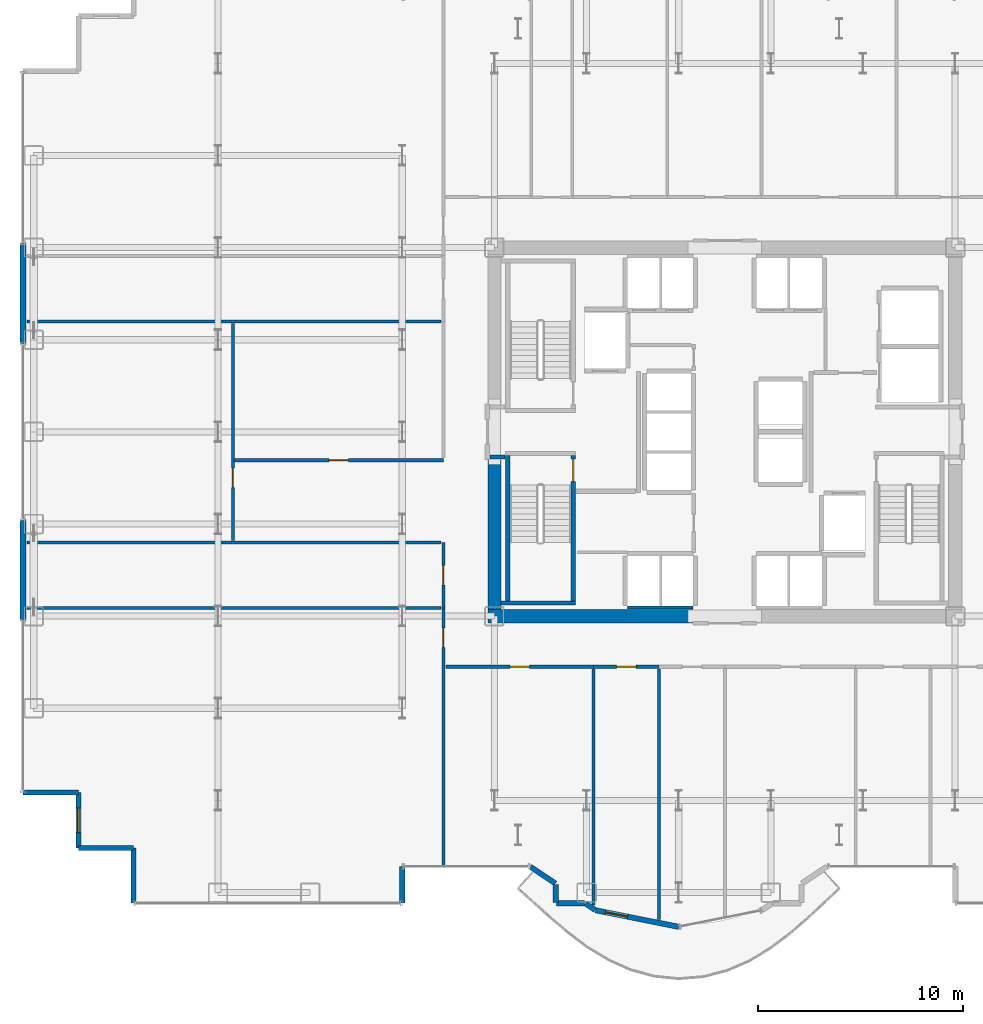
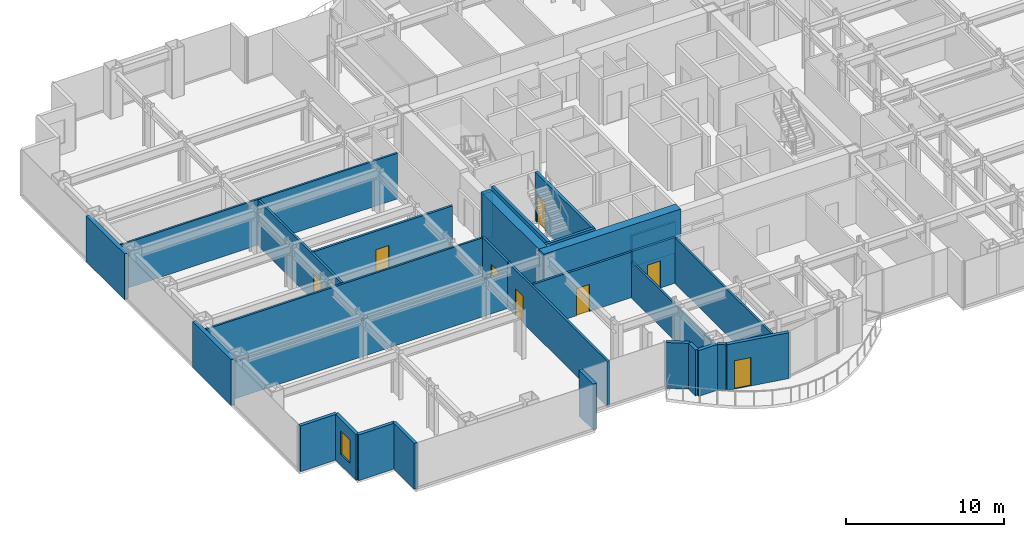
# One storey, part 22 of 29: 30 walls, 8 doors, 1 window, 9 openings.
"""IFC4 building model written with IfcOpenShell, lengths in metres."""

from ifc_helpers import new_model, si_unit, direction, frame, frame_2d, origin, place, context, subcontext, project, spatial, rectangle, extrude, source, transform, mapped, material, layer, layer_set, type_object, element, fill, save


model = new_model("IFC4")

# Units and contexts
model_context = context("Model", 3, precision=1e-05, world=origin(), true_north=direction((0.0, 1.0)))
body_context = subcontext(model_context, "Body", "Model", "MODEL_VIEW")
ifc_project = project(units=[si_unit("LENGTHUNIT", "METRE"), si_unit("AREAUNIT", "SQUARE_METRE"), si_unit("VOLUMEUNIT", "CUBIC_METRE"), si_unit("PLANEANGLEUNIT", "RADIAN"), si_unit("MASSUNIT", "GRAM", prefix="KILO")], contexts=[model_context])

# Site, building, storey
site_placement = place(None, origin())
site = spatial("IfcSite", under=ifc_project, at=site_placement, CompositionType="ELEMENT")
building_placement = place(site_placement, origin())
building = spatial("IfcBuilding", under=site, at=building_placement, Name="Nefas-Gora Pilgrimage Tower", CompositionType="ELEMENT")
storey_placement = place(building_placement, frame((0.0, 0.0, 67.199951171875)))
storey = spatial("IfcBuildingStorey", under=building, at=storey_placement, Name="L15", CompositionType="ELEMENT", Elevation=67.199951171875)

# Walls
ifc_material_1 = material(Name="Concrete C60/75", Category="concrete")
ifc_layer_1 = layer(ifc_material_1, 0.64990234375)
ifc_layer_set_1 = layer_set([ifc_layer_1], Name="Concrete C60/75")
wall_type_1 = type_object("IfcWallType", Name="SW-CORE-650", PredefinedType="SHEAR", material=ifc_layer_set_1)
shared_shape_1 = source(origin(), body_context, "Body", "SweptSolid", [
    extrude(rectangle(XDim=10.02490234375, YDim=0.64990234375, at=frame_2d((5.012451171875, 0.0))), origin(), (0.0, 0.0, 1.0), 3.800048828125),
])
wall_1_placement = place(storey_placement, frame((-11.574951171875, -9.0, 0.0), z_axis=(0.0, 0.0, 1.0), x_axis=(1.0, 0.0, 0.0)))
element("IfcWall", 1, at=wall_1_placement, inside=storey, type_object=wall_type_1, Name="L15 Core Shear Wall S-West", PredefinedType="SHEAR", context=body_context, shape_type="MappedRepresentation", body=[
    mapped(shared_shape_1, transform((0.0, 0.0, 0.0), x_axis=(1.0, 0.0, 0.0), y_axis=(0.0, 1.0, 0.0), z_axis=(0.0, 0.0, 1.0), scale=1.0)),
])
shared_shape_2 = source(origin(), body_context, "Body", "SweptSolid", [
    extrude(rectangle(XDim=7.324951171875, YDim=0.64990234375, at=frame_2d((3.66259765625, 0.0))), origin(), (0.0, 0.0, 1.0), 3.800048828125),
])
wall_2_placement = place(storey_placement, frame((-11.25, -8.675048828125, 0.0), z_axis=(0.0, 0.0, 1.0), x_axis=(0.0, 1.0, 0.0)))
element("IfcWall", 2, at=wall_2_placement, inside=storey, type_object=wall_type_1, Name="L15 Core Shear Wall W-South", PredefinedType="SHEAR", context=body_context, shape_type="MappedRepresentation", body=[
    mapped(shared_shape_2, transform((0.0, 0.0, 0.0), x_axis=(1.0, 0.0, 0.0), y_axis=(0.0, 1.0, 0.0), z_axis=(0.0, 0.0, 1.0), scale=1.0)),
])
ifc_material_2 = material(Name="Precast concrete C45/55", Category="concrete")
ifc_layer_2 = layer(ifc_material_2, 0.239990234375)
ifc_layer_set_2 = layer_set([ifc_layer_2], Name="Precast concrete C45/55")
wall_type_2 = type_object("IfcWallType", Name="EW-SERR-240", PredefinedType="SHEAR", material=ifc_layer_set_2)
shared_shape_3 = source(origin(), body_context, "Body", "SweptSolid", [
    extrude(rectangle(XDim=4.8798828125, YDim=0.300048828125, at=frame_2d((2.43994140625, 0.0))), origin(), (0.0, 0.0, 1.0), 3.550048828125),
])
for number, where, z_axis, x_axis, name in (
    (3, (-34.27001953125, -9.18994140625, 0.0), (0.0, 0.0, 1.0), (0.0, 1.0, 0.0), "L15 Braced-Tube Precast Shear Cladding 1"),
    (4, (-34.27001953125, 4.31005859375, 0.0), (0.0, 0.0, 1.0), (0.0, 1.0, 0.0), "L15 Braced-Tube Precast Shear Cladding 2"),
):
    element("IfcWall", number, at=place(storey_placement, frame(where, z_axis=z_axis, x_axis=x_axis)), inside=storey, type_object=wall_type_2, Name=name, PredefinedType="SHEAR", context=body_context, shape_type="MappedRepresentation", body=[
        mapped(shared_shape_3, transform((0.0, 0.0, 0.0), x_axis=(1.0, 0.0, 0.0), y_axis=(0.0, 1.0, 0.0), z_axis=(0.0, 0.0, 1.0), scale=1.0)),
    ])
ifc_material_3 = material(Name="Precast concrete C40/50", Category="concrete")
ifc_layer_3 = layer(ifc_material_3, 0.260009765625)
ifc_layer_set_3 = layer_set([ifc_layer_3], Name="Precast concrete C40/50")
wall_type_3 = type_object("IfcWallType", Name="EW-PORTAL-260", PredefinedType="SOLIDWALL", material=ifc_layer_set_3)
shared_shape_4 = source(origin(), body_context, "Body", "SweptSolid", [
    extrude(rectangle(XDim=1.800048828125, YDim=0.260009765625, at=frame_2d((0.89990234375, 0.0))), origin(), (0.0, 0.0, 1.0), 3.550048828125),
])
wall_3_placement = place(storey_placement, frame((-15.75, -23.02001953125, 0.0), z_axis=(0.0, 0.0, 1.0), x_axis=(0.0, 1.0, 0.0)))
element("IfcWall", 5, at=wall_3_placement, inside=storey, type_object=wall_type_3, Name="L15 Lobe Shoulder Precast Spandrel Pier 32", PredefinedType="SOLIDWALL", context=body_context, shape_type="MappedRepresentation", body=[
    mapped(shared_shape_4, transform((0.0, 0.0, 0.0), x_axis=(1.0, 0.0, 0.0), y_axis=(0.0, 1.0, 0.0), z_axis=(0.0, 0.0, 1.0), scale=1.0)),
])
shared_shape_5 = source(origin(), body_context, "Body", "SweptSolid", [
    extrude(rectangle(XDim=2.699951171875, YDim=0.239990234375, at=frame_2d((1.35009765625, 0.0))), origin(), (0.0, 0.0, 1.0), 3.550048828125),
])
wall_4_placement = place(storey_placement, frame((-34.27001953125, -17.6201171875, 0.0), z_axis=(0.0, 0.0, 1.0), x_axis=(1.0, 0.0, 0.0)))
element("IfcWall", 6, at=wall_4_placement, inside=storey, type_object=wall_type_2, Name="L15 Serrated Corner Shear Pier Wall 28", PredefinedType="SHEAR", context=body_context, shape_type="MappedRepresentation", body=[
    mapped(shared_shape_5, transform((0.0, 0.0, 0.0), x_axis=(1.0, 0.0, 0.0), y_axis=(0.0, 1.0, 0.0), z_axis=(0.0, 0.0, 1.0), scale=1.0)),
])

# Wall, opening, window
wall_5_placement = place(storey_placement, frame((-31.570068359375, -17.6201171875, 0.0), z_axis=(0.0, 0.0, 1.0), x_axis=(0.0, -1.0, 0.0)))
wall_5 = element("IfcWall", 7, at=wall_5_placement, inside=storey, type_object=wall_type_2, Name="L15 Serrated Corner Shear Pier Wall 29", PredefinedType="SHEAR", context=body_context, shape_type="MappedRepresentation", body=[
    mapped(shared_shape_5, transform((0.0, 0.0, 0.0), x_axis=(1.0, 0.0, 0.0), y_axis=(0.0, 1.0, 0.0), z_axis=(0.0, 0.0, 1.0), scale=1.0)),
])
opening_1_placement = place(wall_5_placement, frame((0.75, 0.0, 0.85009765625)))
opening_1 = element("IfcOpeningElement", 8, at=opening_1_placement, cuts=wall_5, Name="Opening W-V1", PredefinedType="OPENING", context=body_context, shape_type="SweptSolid", body=[
    extrude(rectangle(XDim=1.199951171875, YDim=1.800048828125, at=frame_2d((0.60009765625, 0.89990234375))), frame((0.0, 0.1298828125, 0.0), z_axis=(0.0, -1.0, 0.0), x_axis=(1.0, 0.0, 0.0)), (0.0, 0.0, 1.0), 0.260009765625),
])
ifc_material_4 = material(Name="Dark ceramic-fritted operable aluminium-glass window", Category="aluminium")
window_type = type_object("IfcWindowType", Name="WIN-VENT-1200x1800", PartitioningType="SINGLE_PANEL", PredefinedType="WINDOW", material=ifc_material_4)
shared_shape_6 = source(origin(), body_context, "Body", "SweptSolid", [
    extrude(rectangle(XDim=1.199951171875, YDim=1.800048828125, at=frame_2d((0.60009765625, 0.89990234375))), frame((0.0, 0.030029296875, 0.0), z_axis=(0.0, -1.0, 0.0), x_axis=(1.0, 0.0, 0.0)), (0.0, 0.0, 1.0), 0.06005859375),
])
window_placement = place(opening_1_placement, origin())
window = element("IfcWindow", 9, at=window_placement, inside=storey, type_object=window_type, Name="L15 Operable Parallel-Outswing Window 29", OverallHeight=1.800048828125, OverallWidth=1.199951171875, PartitioningType="SINGLE_PANEL", PredefinedType="WINDOW", context=body_context, shape_type="MappedRepresentation", body=[
    mapped(shared_shape_6, transform((0.0, 0.0, 0.0), x_axis=(1.0, 0.0, 0.0), y_axis=(0.0, 1.0, 0.0), z_axis=(0.0, 0.0, 1.0), scale=1.0)),
])
fill(opening_1, window)

# Walls
for number, where, z_axis, x_axis, name in (
    (10, (-31.570068359375, -20.320068359375, 0.0), (0.0, 0.0, 1.0), (1.0, 0.0, 0.0), "L15 Serrated Corner Shear Pier Wall 30"),
    (11, (-28.8701171875, -20.320068359375, 0.0), (0.0, 0.0, 1.0), (0.0, -1.0, 0.0), "L15 Serrated Corner Shear Pier Wall 31"),
):
    element("IfcWall", number, at=place(storey_placement, frame(where, z_axis=z_axis, x_axis=x_axis)), inside=storey, type_object=wall_type_2, Name=name, PredefinedType="SHEAR", context=body_context, shape_type="MappedRepresentation", body=[
        mapped(shared_shape_5, transform((0.0, 0.0, 0.0), x_axis=(1.0, 0.0, 0.0), y_axis=(0.0, 1.0, 0.0), z_axis=(0.0, 0.0, 1.0), scale=1.0)),
    ])
shared_shape_7 = source(origin(), body_context, "Body", "SweptSolid", [
    extrude(rectangle(XDim=1.468994140625, YDim=0.260009765625, at=frame_2d((0.734375, 0.0))), origin(), (0.0, 0.0, 1.0), 3.550048828125),
])
wall_6_placement = place(storey_placement, frame((-9.49462890625, -21.235595703125, 0.0), z_axis=(0.0, 0.0, 1.0), x_axis=(0.831461760506, -0.555581983884, 0.0)))
element("IfcWall", 12, at=wall_6_placement, inside=storey, type_object=wall_type_3, Name="L15 Lobe Shoulder Precast Spandrel Pier 33", PredefinedType="SOLIDWALL", context=body_context, shape_type="MappedRepresentation", body=[
    mapped(shared_shape_7, transform((0.0, 0.0, 0.0), x_axis=(1.0, 0.0, 0.0), y_axis=(0.0, 1.0, 0.0), z_axis=(0.0, 0.0, 1.0), scale=1.0)),
])
shared_shape_8 = source(origin(), body_context, "Body", "SweptSolid", [
    extrude(rectangle(XDim=0.896728515625, YDim=0.260009765625, at=frame_2d((0.4482421875, 0.0))), origin(), (0.0, 0.0, 1.0), 3.550048828125),
])
wall_7_placement = place(storey_placement, frame((-8.25, -22.09521484375, 0.0), z_axis=(0.0, 0.0, 1.0), x_axis=(0.0, -1.0, 0.0)))
element("IfcWall", 13, at=wall_7_placement, inside=storey, type_object=wall_type_3, Name="L15 Lobe Shoulder Precast Spandrel Pier 34", PredefinedType="SOLIDWALL", context=body_context, shape_type="MappedRepresentation", body=[
    mapped(shared_shape_8, transform((0.0, 0.0, 0.0), x_axis=(1.0, 0.0, 0.0), y_axis=(0.0, 1.0, 0.0), z_axis=(0.0, 0.0, 1.0), scale=1.0)),
])
shared_shape_9 = source(origin(), body_context, "Body", "SweptSolid", [
    extrude(rectangle(XDim=1.369873046875, YDim=0.260009765625, at=frame_2d((0.68505859375, 0.0))), origin(), (0.0, 0.0, 1.0), 3.550048828125),
])
wall_8_placement = place(storey_placement, frame((-8.221923828125, -23.02001953125, 0.0), z_axis=(0.0, 0.0, 1.0), x_axis=(1.0, 0.0, 0.0)))
element("IfcWall", 14, at=wall_8_placement, inside=storey, type_object=wall_type_3, Name="L15 Lobe Shoulder Precast Spandrel Pier 35", PredefinedType="SOLIDWALL", context=body_context, shape_type="MappedRepresentation", body=[
    mapped(shared_shape_9, transform((0.0, 0.0, 0.0), x_axis=(1.0, 0.0, 0.0), y_axis=(0.0, 1.0, 0.0), z_axis=(0.0, 0.0, 1.0), scale=1.0)),
])
shared_shape_10 = source(origin(), body_context, "Body", "SweptSolid", [
    extrude(rectangle(XDim=0.5654296875, YDim=0.260009765625, at=frame_2d((0.28271484375, 0.0))), origin(), (0.0, 0.0, 1.0), 3.550048828125),
])
wall_9_placement = place(storey_placement, frame((-6.80078125, -23.03564453125, 0.0), z_axis=(0.0, 0.0, 1.0), x_axis=(0.831651492666, -0.555297933317, 0.0)))
element("IfcWall", 15, at=wall_9_placement, inside=storey, type_object=wall_type_3, Name="L15 Lobe Shoulder Precast Spandrel Pier 36", PredefinedType="SOLIDWALL", context=body_context, shape_type="MappedRepresentation", body=[
    mapped(shared_shape_10, transform((0.0, 0.0, 0.0), x_axis=(1.0, 0.0, 0.0), y_axis=(0.0, 1.0, 0.0), z_axis=(0.0, 0.0, 1.0), scale=1.0)),
])

# Wall, opening, door
shared_shape_11 = source(origin(), body_context, "Body", "SweptSolid", [
    extrude(rectangle(XDim=4.136962890625, YDim=0.260009765625, at=frame_2d((2.068359375, 0.0))), origin(), (0.0, 0.0, 1.0), 3.550048828125),
])
wall_10_placement = place(storey_placement, frame((-6.307373046875, -23.365234375, 0.0), z_axis=(0.0, 0.0, 1.0), x_axis=(0.980782170794, -0.195105954428, 0.0)))
wall_10 = element("IfcWall", 16, at=wall_10_placement, inside=storey, type_object=wall_type_3, Name="L15 Insulated Terrace Portal Wall 37", PredefinedType="SOLIDWALL", context=body_context, shape_type="MappedRepresentation", body=[
    mapped(shared_shape_11, transform((0.0, 0.0, 0.0), x_axis=(1.0, 0.0, 0.0), y_axis=(0.0, 1.0, 0.0), z_axis=(0.0, 0.0, 1.0), scale=1.0)),
])
opening_2_placement = place(wall_10_placement, frame((0.48779296875, 0.0, 0.0)))
opening_2 = element("IfcOpeningElement", 17, at=opening_2_placement, cuts=wall_10, Name="Opening ED-B1", PredefinedType="OPENING", context=body_context, shape_type="SweptSolid", body=[
    extrude(rectangle(XDim=1.10009765625, YDim=2.199951171875, at=frame_2d((0.550048828125, 1.10009765625))), frame((0.0, 0.139892578125, 0.0), z_axis=(0.0, -1.0, 0.0), x_axis=(1.0, 0.0, 0.0)), (0.0, 0.0, 1.0), 0.280029296875),
])
ifc_material_5 = material(Name="Thermally broken glazed aluminium balcony door", Category="aluminium")
door_type_1 = type_object("IfcDoorType", Name="DR-EXT-BAL-1100", OperationType="NOTDEFINED", PredefinedType="DOOR", material=ifc_material_5)
shared_shape_12 = source(origin(), body_context, "Body", "SweptSolid", [
    extrude(rectangle(XDim=1.10009765625, YDim=2.199951171875, at=frame_2d((0.550048828125, 1.10009765625))), frame((0.0, 0.02490234375, 0.0), z_axis=(0.0, -1.0, 0.0), x_axis=(1.0, 0.0, 0.0)), (0.0, 0.0, 1.0), 0.050048828125),
])
door_1_placement = place(opening_2_placement, origin())
door_1 = element("IfcDoor", 18, at=door_1_placement, inside=storey, type_object=door_type_1, Name="L15 Exterior Door (L15 S Lobe Wave Balcony)", OperationType="SINGLE_SWING_RIGHT", OverallHeight=2.199951171875, OverallWidth=1.10009765625, PredefinedType="DOOR", context=body_context, shape_type="MappedRepresentation", body=[
    mapped(shared_shape_12, transform((0.0, 0.0, 0.0), x_axis=(1.0, 0.0, 0.0), y_axis=(0.0, 1.0, 0.0), z_axis=(0.0, 0.0, 1.0), scale=1.0)),
])
fill(opening_2, door_1)

# Walls
ifc_material_6 = material(Name="Concrete C45/55", Category="concrete")
ifc_layer_4 = layer(ifc_material_6, 0.199951171875)
ifc_layer_set_4 = layer_set([ifc_layer_4], Name="Concrete C45/55")
wall_type_4 = type_object("IfcWallType", Name="IW-STAIR-200", PredefinedType="SOLIDWALL", material=ifc_layer_set_4)
shared_shape_13 = source(origin(), body_context, "Body", "SweptSolid", [
    extrude(rectangle(XDim=3.6298828125, YDim=0.199951171875, at=frame_2d((1.81494140625, 0.0))), origin(), (0.0, 0.0, 1.0), 3.800048828125),
])
wall_11_placement = place(storey_placement, frame((-10.929931640625, -8.35009765625, 0.0), z_axis=(0.0, 0.0, 1.0), x_axis=(1.0, 0.0, 0.0)))
element("IfcWall", 19, at=wall_11_placement, inside=storey, type_object=wall_type_4, Name="L15 Stairwell Shear Wall ST-03-far", PredefinedType="SOLIDWALL", context=body_context, shape_type="MappedRepresentation", body=[
    mapped(shared_shape_13, transform((0.0, 0.0, 0.0), x_axis=(1.0, 0.0, 0.0), y_axis=(0.0, 1.0, 0.0), z_axis=(0.0, 0.0, 1.0), scale=1.0)),
])
shared_shape_14 = source(origin(), body_context, "Body", "SweptSolid", [
    extrude(rectangle(XDim=7.10009765625, YDim=0.199951171875, at=frame_2d((3.550048828125, 0.0))), origin(), (0.0, 0.0, 1.0), 3.800048828125),
])
wall_12_placement = place(storey_placement, frame((-10.60009765625, -1.14990234375, 0.0), z_axis=(0.0, 0.0, 1.0), x_axis=(0.0, -1.0, 0.0)))
element("IfcWall", 20, at=wall_12_placement, inside=storey, type_object=wall_type_4, Name="L15 Stairwell Shear Wall ST-03-left", PredefinedType="SOLIDWALL", context=body_context, shape_type="MappedRepresentation", body=[
    mapped(shared_shape_14, transform((0.0, 0.0, 0.0), x_axis=(1.0, 0.0, 0.0), y_axis=(0.0, 1.0, 0.0), z_axis=(0.0, 0.0, 1.0), scale=1.0)),
])

# Wall, opening, door
wall_13_placement = place(storey_placement, frame((-7.39990234375, -1.14990234375, 0.0), z_axis=(0.0, 0.0, 1.0), x_axis=(0.0, -1.0, 0.0)))
wall_13 = element("IfcWall", 21, at=wall_13_placement, inside=storey, type_object=wall_type_4, Name="L15 Stairwell Shear Wall ST-03-right", PredefinedType="SOLIDWALL", context=body_context, shape_type="MappedRepresentation", body=[
    mapped(shared_shape_14, transform((0.0, 0.0, 0.0), x_axis=(1.0, 0.0, 0.0), y_axis=(0.0, 1.0, 0.0), z_axis=(0.0, 0.0, 1.0), scale=1.0)),
])
opening_3_placement = place(wall_13_placement, frame((0.179931640625, 0.0, 0.0)))
opening_3 = element("IfcOpeningElement", 22, at=opening_3_placement, cuts=wall_13, Name="Opening ID-ST1", PredefinedType="OPENING", context=body_context, shape_type="SweptSolid", body=[
    extrude(rectangle(XDim=1.10009765625, YDim=2.14990234375, at=frame_2d((0.550048828125, 1.074951171875))), frame((0.0, 0.10986328125, 0.0), z_axis=(0.0, -1.0, 0.0), x_axis=(1.0, 0.0, 0.0)), (0.0, 0.0, 1.0), 0.219970703125),
])
ifc_material_7 = material(Name="Painted galvanised steel fire stair door", Category="steel")
door_type_2 = type_object("IfcDoorType", Name="DR-INT-STAIR-1100", OperationType="NOTDEFINED", PredefinedType="DOOR", material=ifc_material_7)
shared_shape_15 = source(origin(), body_context, "Body", "SweptSolid", [
    extrude(rectangle(XDim=1.10009765625, YDim=2.14990234375, at=frame_2d((0.550048828125, 1.074951171875))), frame((0.0, 0.02490234375, 0.0), z_axis=(0.0, -1.0, 0.0), x_axis=(1.0, 0.0, 0.0)), (0.0, 0.0, 1.0), 0.050048828125),
])
door_2_placement = place(opening_3_placement, origin())
door_2 = element("IfcDoor", 23, at=door_2_placement, inside=storey, type_object=door_type_2, Name="L15 Protected Exit Stair Door ST-03", OperationType="SINGLE_SWING_LEFT", OverallHeight=2.14990234375, OverallWidth=1.10009765625, PredefinedType="DOOR", context=body_context, shape_type="MappedRepresentation", body=[
    mapped(shared_shape_15, transform((0.0, 0.0, 0.0), x_axis=(1.0, 0.0, 0.0), y_axis=(0.0, 1.0, 0.0), z_axis=(0.0, 0.0, 1.0), scale=1.0)),
])
fill(opening_3, door_2)

# Walls
ifc_material_8 = material(Name="Gypsum acoustic stud partition")
ifc_layer_5 = layer(ifc_material_8, 0.159912109375)
ifc_layer_set_5 = layer_set([ifc_layer_5], Name="Gypsum acoustic stud partition")
wall_type_5 = type_object("IfcWallType", Name="IW-CORR-160", PredefinedType="PARTITIONING", material=ifc_layer_set_5)
shared_shape_16 = source(origin(), body_context, "Body", "SweptSolid", [
    extrude(rectangle(XDim=3.199951171875, YDim=0.159912109375, at=frame_2d((1.60009765625, 0.0))), origin(), (0.0, 0.0, 1.0), 2.425048828125),
])
wall_14_placement = place(storey_placement, frame((-4.75, -8.580078125, 0.0), z_axis=(0.0, 0.0, 1.0), x_axis=(1.0, 0.0, 0.0)))
element("IfcWall", 24, at=wall_14_placement, inside=storey, type_object=wall_type_5, Name="L15 Hoistway Wall PL2-W-S", PredefinedType="PARTITIONING", context=body_context, shape_type="MappedRepresentation", body=[
    mapped(shared_shape_16, transform((0.0, 0.0, 0.0), x_axis=(1.0, 0.0, 0.0), y_axis=(0.0, 1.0, 0.0), z_axis=(0.0, 0.0, 1.0), scale=1.0)),
])
ifc_material_9 = material(Name="Gypsum twin-stud partition")
ifc_layer_6 = layer(ifc_material_9, 0.139892578125)
ifc_layer_set_6 = layer_set([ifc_layer_6], Name="Gypsum twin-stud partition")
wall_type_6 = type_object("IfcWallType", Name="IW-UNIT-140", PredefinedType="PARTITIONING", material=ifc_layer_set_6)
shared_shape_17 = source(origin(), body_context, "Body", "SweptSolid", [
    extrude(rectangle(XDim=20.219970703125, YDim=0.139892578125, at=frame_2d((10.10986328125, 0.0))), origin(), (0.0, 0.0, 1.0), 2.824951171875),
])
wall_15_placement = place(storey_placement, frame((-34.080078125, -8.60498046875, 0.0), z_axis=(0.0, 0.0, 1.0), x_axis=(1.0, 0.0, 0.0)))
element("IfcWall", 25, at=wall_15_placement, inside=storey, type_object=wall_type_6, Name="L15 Pilgrim Floor Concierge Foyer Partition Wall 24", PredefinedType="PARTITIONING", context=body_context, shape_type="MappedRepresentation", body=[
    mapped(shared_shape_17, transform((0.0, 0.0, 0.0), x_axis=(1.0, 0.0, 0.0), y_axis=(0.0, 1.0, 0.0), z_axis=(0.0, 0.0, 1.0), scale=1.0)),
])
ifc_material_10 = material(Name="Gypsum fire-rated shaftwall")
ifc_layer_7 = layer(ifc_material_10, 0.199951171875)
ifc_layer_set_7 = layer_set([ifc_layer_7], Name="Gypsum fire-rated shaftwall")
wall_type_7 = type_object("IfcWallType", Name="IW-FFLOB-200", PredefinedType="PARTITIONING", material=ifc_layer_set_7)
shared_shape_18 = source(origin(), body_context, "Body", "SweptSolid", [
    extrude(rectangle(XDim=0.719970703125, YDim=0.199951171875, at=frame_2d((0.35986328125, 0.0))), origin(), (0.0, 0.0, 1.0), 3.53515625),
])
wall_16_placement = place(storey_placement, frame((-11.4599609375, -1.219970703125, 0.0), z_axis=(0.0, 0.0, 1.0), x_axis=(1.0, 0.0, 0.0)))
element("IfcWall", 26, at=wall_16_placement, inside=storey, type_object=wall_type_7, Name="L15 FF Lobby West Throat S Wall 7", PredefinedType="PARTITIONING", context=body_context, shape_type="MappedRepresentation", body=[
    mapped(shared_shape_18, transform((0.0, 0.0, 0.0), x_axis=(1.0, 0.0, 0.0), y_axis=(0.0, 1.0, 0.0), z_axis=(0.0, 0.0, 1.0), scale=1.0)),
])
shared_shape_19 = source(origin(), body_context, "Body", "SweptSolid", [
    extrude(rectangle(XDim=20.219970703125, YDim=0.139892578125, at=frame_2d((10.10986328125, 0.0))), origin(), (0.0, 0.0, 1.0), 3.53515625),
])
wall_17_placement = place(storey_placement, frame((-34.080078125, -5.405029296875, 0.0), z_axis=(0.0, 0.0, 1.0), x_axis=(1.0, 0.0, 0.0)))
element("IfcWall", 27, at=wall_17_placement, inside=storey, type_object=wall_type_6, Name="L15 Pilgrim Floor Concierge Foyer Partition Wall 26", PredefinedType="PARTITIONING", context=body_context, shape_type="MappedRepresentation", body=[
    mapped(shared_shape_19, transform((0.0, 0.0, 0.0), x_axis=(1.0, 0.0, 0.0), y_axis=(0.0, 1.0, 0.0), z_axis=(0.0, 0.0, 1.0), scale=1.0)),
])

# Wall, opening, door
shared_shape_20 = source(origin(), body_context, "Body", "SweptSolid", [
    extrude(rectangle(XDim=10.25, YDim=0.159912109375, at=frame_2d((5.125, 0.0))), origin(), (0.0, 0.0, 1.0), 3.53515625),
])
wall_18_placement = place(storey_placement, frame((-23.97998046875, -1.3798828125, 0.0), z_axis=(0.0, 0.0, 1.0), x_axis=(1.0, 0.0, 0.0)))
wall_18 = element("IfcWall", 28, at=wall_18_placement, inside=storey, type_object=wall_type_5, Name="L15 Pilgrim Floor Concierge Foyer Partition Wall 27", PredefinedType="PARTITIONING", context=body_context, shape_type="MappedRepresentation", body=[
    mapped(shared_shape_20, transform((0.0, 0.0, 0.0), x_axis=(1.0, 0.0, 0.0), y_axis=(0.0, 1.0, 0.0), z_axis=(0.0, 0.0, 1.0), scale=1.0)),
])
opening_4_placement = place(wall_18_placement, frame((4.64990234375, 0.0, 0.0)))
opening_4 = element("IfcOpeningElement", 29, at=opening_4_placement, cuts=wall_18, Name="Opening ID-GR1", PredefinedType="OPENING", context=body_context, shape_type="SweptSolid", body=[
    extrude(rectangle(XDim=0.949951171875, YDim=2.10009765625, at=frame_2d((0.47509765625, 1.050048828125))), frame((0.0, 0.08984375, 0.0), z_axis=(0.0, -1.0, 0.0), x_axis=(1.0, 0.0, 0.0)), (0.0, 0.0, 1.0), 0.179931640625),
])
ifc_material_11 = material(Name="Solid core oak fire-rated guest entrance door")
door_type_3 = type_object("IfcDoorType", Name="DR-INT-GUEST-950", OperationType="NOTDEFINED", PredefinedType="DOOR", material=ifc_material_11)
shared_shape_21 = source(origin(), body_context, "Body", "SweptSolid", [
    extrude(rectangle(XDim=0.949951171875, YDim=2.10009765625, at=frame_2d((0.47509765625, 1.050048828125))), frame((0.0, 0.02490234375, 0.0), z_axis=(0.0, -1.0, 0.0), x_axis=(1.0, 0.0, 0.0)), (0.0, 0.0, 1.0), 0.050048828125),
])
door_3_placement = place(opening_4_placement, origin())
door_3 = element("IfcDoor", 30, at=door_3_placement, inside=storey, type_object=door_type_3, Name="L15 Pilgrim Floor Concierge Foyer Door 11", OperationType="SINGLE_SWING_LEFT", OverallHeight=2.10009765625, OverallWidth=0.949951171875, PredefinedType="DOOR", context=body_context, shape_type="MappedRepresentation", body=[
    mapped(shared_shape_21, transform((0.0, 0.0, 0.0), x_axis=(1.0, 0.0, 0.0), y_axis=(0.0, 1.0, 0.0), z_axis=(0.0, 0.0, 1.0), scale=1.0)),
])
fill(opening_4, door_3)

shared_shape_22 = source(origin(), body_context, "Body", "SweptSolid", [
    extrude(rectangle(XDim=12.64501953125, YDim=0.159912109375, at=frame_2d((6.322509765625, 0.0))), origin(), (0.0, 0.0, 1.0), 3.53515625),
])
wall_19_placement = place(storey_placement, frame((-13.739990234375, -21.239990234375, 0.0), z_axis=(0.0, 0.0, 1.0), x_axis=(0.0, 1.0, 0.0)))
wall_19 = element("IfcWall", 31, at=wall_19_placement, inside=storey, type_object=wall_type_5, Name="L15 Pilgrim Floor Concierge Foyer Partition Wall 23", PredefinedType="PARTITIONING", context=body_context, shape_type="MappedRepresentation", body=[
    mapped(shared_shape_22, transform((0.0, 0.0, 0.0), x_axis=(1.0, 0.0, 0.0), y_axis=(0.0, 1.0, 0.0), z_axis=(0.0, 0.0, 1.0), scale=1.0)),
])
opening_5_placement = place(wall_19_placement, frame((10.71240234375, 0.0, 0.0)))
opening_5 = element("IfcOpeningElement", 32, at=opening_5_placement, cuts=wall_19, Name="Opening ID-GR1", PredefinedType="OPENING", context=body_context, shape_type="SweptSolid", body=[
    extrude(rectangle(XDim=0.949951171875, YDim=2.10009765625, at=frame_2d((0.47509765625, 1.050048828125))), frame((0.0, 0.08984375, 0.0), z_axis=(0.0, -1.0, 0.0), x_axis=(1.0, 0.0, 0.0)), (0.0, 0.0, 1.0), 0.179931640625),
])
door_4_placement = place(opening_5_placement, origin())
door_4 = element("IfcDoor", 33, at=door_4_placement, inside=storey, type_object=door_type_3, Name="L15 Pilgrim Floor Concierge Foyer Door 9", OperationType="SINGLE_SWING_LEFT", OverallHeight=2.10009765625, OverallWidth=0.949951171875, PredefinedType="DOOR", context=body_context, shape_type="MappedRepresentation", body=[
    mapped(shared_shape_21, transform((0.0, 0.0, 0.0), x_axis=(1.0, 0.0, 0.0), y_axis=(0.0, 1.0, 0.0), z_axis=(0.0, 0.0, 1.0), scale=1.0)),
])
fill(opening_5, door_4)

shared_shape_23 = source(origin(), body_context, "Body", "SweptSolid", [
    extrude(rectangle(XDim=3.2099609375, YDim=0.159912109375, at=frame_2d((1.60498046875, 0.0))), origin(), (0.0, 0.0, 1.0), 3.53515625),
])
wall_20_placement = place(storey_placement, frame((-13.739990234375, -8.60498046875, 0.0), z_axis=(0.0, 0.0, 1.0), x_axis=(0.0, 1.0, 0.0)))
wall_20 = element("IfcWall", 34, at=wall_20_placement, inside=storey, type_object=wall_type_5, Name="L15 Pilgrim Floor Concierge Foyer Partition Wall 25", PredefinedType="PARTITIONING", context=body_context, shape_type="MappedRepresentation", body=[
    mapped(shared_shape_23, transform((0.0, 0.0, 0.0), x_axis=(1.0, 0.0, 0.0), y_axis=(0.0, 1.0, 0.0), z_axis=(0.0, 0.0, 1.0), scale=1.0)),
])
opening_6_placement = place(wall_20_placement, frame((1.1298828125, 0.0, 0.0)))
opening_6 = element("IfcOpeningElement", 35, at=opening_6_placement, cuts=wall_20, Name="Opening ID-GR1", PredefinedType="OPENING", context=body_context, shape_type="SweptSolid", body=[
    extrude(rectangle(XDim=0.949951171875, YDim=2.10009765625, at=frame_2d((0.47509765625, 1.050048828125))), frame((0.0, 0.08984375, 0.0), z_axis=(0.0, -1.0, 0.0), x_axis=(1.0, 0.0, 0.0)), (0.0, 0.0, 1.0), 0.179931640625),
])
door_5_placement = place(opening_6_placement, origin())
door_5 = element("IfcDoor", 36, at=door_5_placement, inside=storey, type_object=door_type_3, Name="L15 Pilgrim Floor Concierge Foyer Door 10", OperationType="SINGLE_SWING_RIGHT", OverallHeight=2.10009765625, OverallWidth=0.949951171875, PredefinedType="DOOR", context=body_context, shape_type="MappedRepresentation", body=[
    mapped(shared_shape_21, transform((0.0, 0.0, 0.0), x_axis=(1.0, 0.0, 0.0), y_axis=(0.0, 1.0, 0.0), z_axis=(0.0, 0.0, 1.0), scale=1.0)),
])
fill(opening_6, door_5)

# Wall
shared_shape_24 = source(origin(), body_context, "Body", "SweptSolid", [
    extrude(rectangle(XDim=20.22998046875, YDim=0.139892578125, at=frame_2d((10.114990234375, 0.0))), origin(), (0.0, 0.0, 1.0), 3.53515625),
])
wall_21_placement = place(storey_placement, frame((-34.080078125, 5.39501953125, 0.0), z_axis=(0.0, 0.0, 1.0), x_axis=(1.0, 0.0, 0.0)))
element("IfcWall", 37, at=wall_21_placement, inside=storey, type_object=wall_type_6, Name="L15 Pilgrim Floor Concierge Foyer Partition Wall 29", PredefinedType="PARTITIONING", context=body_context, shape_type="MappedRepresentation", body=[
    mapped(shared_shape_24, transform((0.0, 0.0, 0.0), x_axis=(1.0, 0.0, 0.0), y_axis=(0.0, 1.0, 0.0), z_axis=(0.0, 0.0, 1.0), scale=1.0)),
])

# Wall, opening, door
shared_shape_25 = source(origin(), body_context, "Body", "SweptSolid", [
    extrude(rectangle(XDim=10.579833984375, YDim=0.159912109375, at=frame_2d((5.2900390625, 0.0))), origin(), (0.0, 0.0, 1.0), 3.53515625),
])
wall_22_placement = place(storey_placement, frame((-24.02001953125, -5.294921875, 0.0), z_axis=(0.0, 0.0, 1.0), x_axis=(0.0, 1.0, 0.0)))
wall_22 = element("IfcWall", 38, at=wall_22_placement, inside=storey, type_object=wall_type_5, Name="L15 Pilgrim Tea and Beverage Pantry Partition Wall 30", PredefinedType="PARTITIONING", context=body_context, shape_type="MappedRepresentation", body=[
    mapped(shared_shape_25, transform((0.0, 0.0, 0.0), x_axis=(1.0, 0.0, 0.0), y_axis=(0.0, 1.0, 0.0), z_axis=(0.0, 0.0, 1.0), scale=1.0)),
])
opening_7_placement = place(wall_22_placement, frame((2.570068359375, 0.0, 0.0)))
opening_7 = element("IfcOpeningElement", 39, at=opening_7_placement, cuts=wall_22, Name="Opening ID-GR1", PredefinedType="OPENING", context=body_context, shape_type="SweptSolid", body=[
    extrude(rectangle(XDim=0.949951171875, YDim=2.10009765625, at=frame_2d((0.47509765625, 1.050048828125))), frame((0.0, 0.08984375, 0.0), z_axis=(0.0, -1.0, 0.0), x_axis=(1.0, 0.0, 0.0)), (0.0, 0.0, 1.0), 0.179931640625),
])
door_6_placement = place(opening_7_placement, origin())
door_6 = element("IfcDoor", 40, at=door_6_placement, inside=storey, type_object=door_type_3, Name="L15 Pilgrim Tea and Beverage Pantry Door 12", OperationType="SINGLE_SWING_RIGHT", OverallHeight=2.10009765625, OverallWidth=0.949951171875, PredefinedType="DOOR", context=body_context, shape_type="MappedRepresentation", body=[
    mapped(shared_shape_21, transform((0.0, 0.0, 0.0), x_axis=(1.0, 0.0, 0.0), y_axis=(0.0, 1.0, 0.0), z_axis=(0.0, 0.0, 1.0), scale=1.0)),
])
fill(opening_7, door_6)

shared_shape_26 = source(origin(), body_context, "Body", "SweptSolid", [
    extrude(rectangle(XDim=7.22509765625, YDim=0.159912109375, at=frame_2d((3.612548828125, 0.0))), origin(), (0.0, 0.0, 1.0), 3.53515625),
])
wall_23_placement = place(storey_placement, frame((-13.6201171875, -11.469970703125, 0.0), z_axis=(0.0, 0.0, 1.0), x_axis=(1.0, 0.0, 0.0)))
wall_23 = element("IfcWall", 41, at=wall_23_placement, inside=storey, type_object=wall_type_5, Name="L15 Pilgrim Contemplative Lounge Partition Wall 49", PredefinedType="PARTITIONING", context=body_context, shape_type="MappedRepresentation", body=[
    mapped(shared_shape_26, transform((0.0, 0.0, 0.0), x_axis=(1.0, 0.0, 0.0), y_axis=(0.0, 1.0, 0.0), z_axis=(0.0, 0.0, 1.0), scale=1.0)),
])
opening_8_placement = place(wall_23_placement, frame((3.137451171875, 0.0, 0.0)))
opening_8 = element("IfcOpeningElement", 42, at=opening_8_placement, cuts=wall_23, Name="Opening ID-GR1", PredefinedType="OPENING", context=body_context, shape_type="SweptSolid", body=[
    extrude(rectangle(XDim=0.949951171875, YDim=2.10009765625, at=frame_2d((0.47509765625, 1.050048828125))), frame((0.0, 0.08984375, 0.0), z_axis=(0.0, -1.0, 0.0), x_axis=(1.0, 0.0, 0.0)), (0.0, 0.0, 1.0), 0.179931640625),
])
door_7_placement = place(opening_8_placement, origin())
door_7 = element("IfcDoor", 43, at=door_7_placement, inside=storey, type_object=door_type_3, Name="L15 Pilgrim Contemplative Lounge Door 24", OperationType="SINGLE_SWING_RIGHT", OverallHeight=2.10009765625, OverallWidth=0.949951171875, PredefinedType="DOOR", context=body_context, shape_type="MappedRepresentation", body=[
    mapped(shared_shape_21, transform((0.0, 0.0, 0.0), x_axis=(1.0, 0.0, 0.0), y_axis=(0.0, 1.0, 0.0), z_axis=(0.0, 0.0, 1.0), scale=1.0)),
])
fill(opening_8, door_7)

# Wall
shared_shape_27 = source(origin(), body_context, "Body", "SweptSolid", [
    extrude(rectangle(XDim=11.5078125, YDim=0.139892578125, at=frame_2d((5.75390625, 0.0))), origin(), (0.0, 0.0, 1.0), 2.824951171875),
])
wall_24_placement = place(storey_placement, frame((-6.405029296875, -23.097900390625, 0.0), z_axis=(0.0, 0.0, 1.0), x_axis=(0.0, 1.0, 0.0)))
element("IfcWall", 44, at=wall_24_placement, inside=storey, type_object=wall_type_6, Name="L15 Pilgrim Contemplative Lounge Partition Wall 50", PredefinedType="PARTITIONING", context=body_context, shape_type="MappedRepresentation", body=[
    mapped(shared_shape_27, transform((0.0, 0.0, 0.0), x_axis=(1.0, 0.0, 0.0), y_axis=(0.0, 1.0, 0.0), z_axis=(0.0, 0.0, 1.0), scale=1.0)),
])

# Wall, opening, door
shared_shape_28 = source(origin(), body_context, "Body", "SweptSolid", [
    extrude(rectangle(XDim=3.20263671875, YDim=0.159912109375, at=frame_2d((1.601318359375, 0.0))), origin(), (0.0, 0.0, 1.0), 3.53515625),
])
wall_25_placement = place(storey_placement, frame((-6.405029296875, -11.469970703125, 0.0), z_axis=(0.0, 0.0, 1.0), x_axis=(1.0, 0.0, 0.0)))
wall_25 = element("IfcWall", 45, at=wall_25_placement, inside=storey, type_object=wall_type_5, Name="L15 Pastoral Chaplains Counselling Office Partition Wall 54", PredefinedType="PARTITIONING", context=body_context, shape_type="MappedRepresentation", body=[
    mapped(shared_shape_28, transform((0.0, 0.0, 0.0), x_axis=(1.0, 0.0, 0.0), y_axis=(0.0, 1.0, 0.0), z_axis=(0.0, 0.0, 1.0), scale=1.0)),
])
opening_9_placement = place(wall_25_placement, frame((1.126220703125, 0.0, 0.0)))
opening_9 = element("IfcOpeningElement", 46, at=opening_9_placement, cuts=wall_25, Name="Opening ID-GR1", PredefinedType="OPENING", context=body_context, shape_type="SweptSolid", body=[
    extrude(rectangle(XDim=0.949951171875, YDim=2.10009765625, at=frame_2d((0.47509765625, 1.050048828125))), frame((0.0, 0.08984375, 0.0), z_axis=(0.0, -1.0, 0.0), x_axis=(1.0, 0.0, 0.0)), (0.0, 0.0, 1.0), 0.179931640625),
])
door_8_placement = place(opening_9_placement, origin())
door_8 = element("IfcDoor", 47, at=door_8_placement, inside=storey, type_object=door_type_3, Name="L15 Pastoral Chaplains Counselling Office Door 26", OperationType="SINGLE_SWING_RIGHT", OverallHeight=2.10009765625, OverallWidth=0.949951171875, PredefinedType="DOOR", context=body_context, shape_type="MappedRepresentation", body=[
    mapped(shared_shape_21, transform((0.0, 0.0, 0.0), x_axis=(1.0, 0.0, 0.0), y_axis=(0.0, 1.0, 0.0), z_axis=(0.0, 0.0, 1.0), scale=1.0)),
])
fill(opening_9, door_8)

# Wall
shared_shape_29 = source(origin(), body_context, "Body", "SweptSolid", [
    extrude(rectangle(XDim=12.2177734375, YDim=0.139892578125, at=frame_2d((6.10888671875, 0.0))), origin(), (0.0, 0.0, 1.0), 3.53515625),
])
wall_26_placement = place(storey_placement, frame((-3.21240234375, -23.807861328125, 0.0), z_axis=(0.0, 0.0, 1.0), x_axis=(0.0, 1.0, 0.0)))
element("IfcWall", 48, at=wall_26_placement, inside=storey, type_object=wall_type_6, Name="L15 Pastoral Chaplains Counselling Office Partition Wall 55", PredefinedType="PARTITIONING", context=body_context, shape_type="MappedRepresentation", body=[
    mapped(shared_shape_29, transform((0.0, 0.0, 0.0), x_axis=(1.0, 0.0, 0.0), y_axis=(0.0, 1.0, 0.0), z_axis=(0.0, 0.0, 1.0), scale=1.0)),
])

save(model, "model.ifc")
